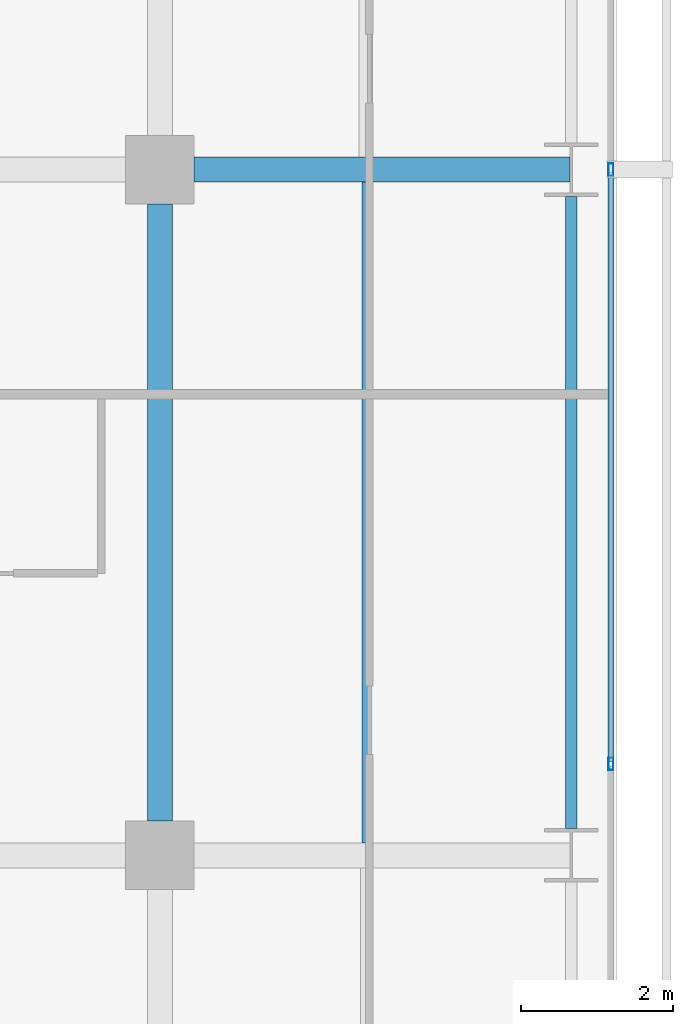
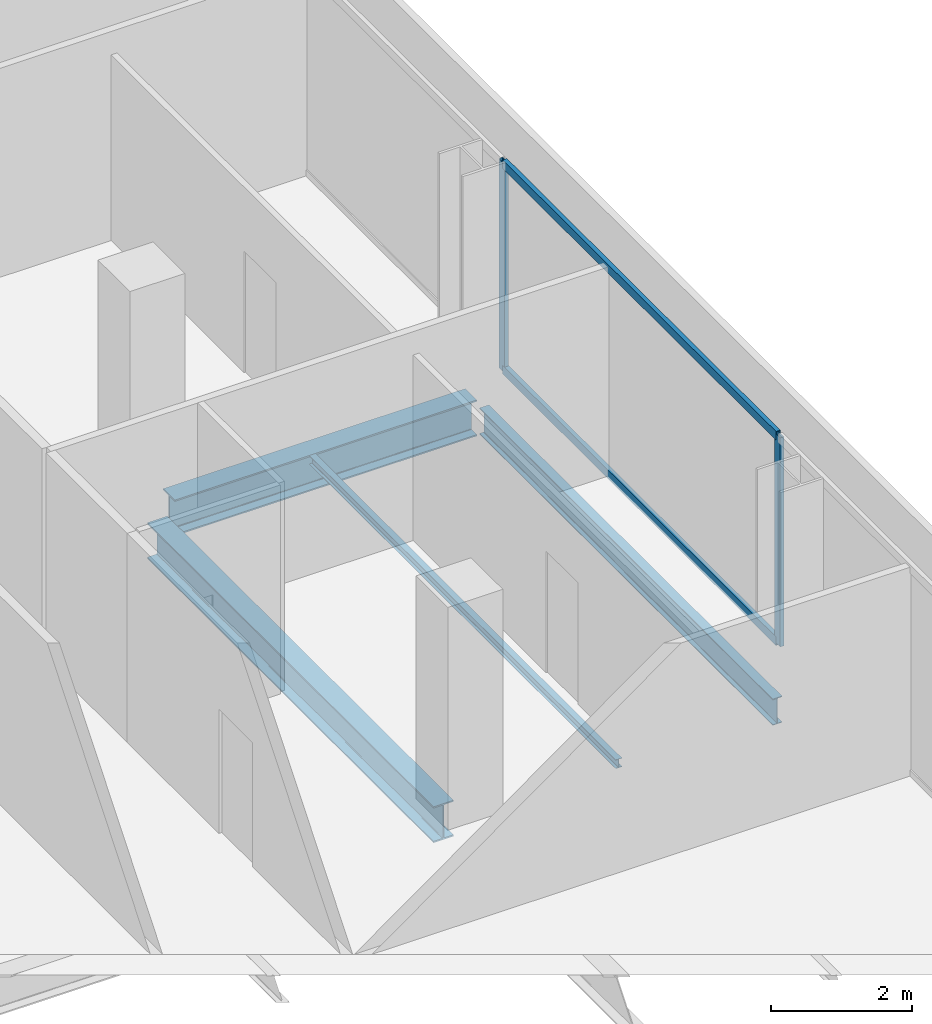
# One storey, part 19 of 40: 4 beams, 4 members, 1 element without a shape of its own.
"""IFC4 building model written with IfcOpenShell, lengths in metres."""

import ifcopenshell
import ifcopenshell.guid

model = None  # the IFC model being written
_history = None  # IfcOwnerHistory: only IFC2X3 demands one
_inside = {}  # id of a spatial element -> (the spatial element, [elements in it])
_under = {}  # id of a project, library or spatial element -> (it, [spatial elements below it])
_declared = {}  # id of a project -> (the project, [libraries it declares])
_typed = {}  # id of a type object -> (the type object, [elements of that type])
_made_of = {}  # id of a material, layer set ... -> (it, [elements and type objects made of it])


def new_model(schema):
    """Start an empty IFC model of exactly this schema.

    Asked for "IFC4X3", IfcOpenShell would pick the latest addendum, in which some entities
    have other attributes; the version numbers below select the first issue.
    IFC2X3 requires an IfcOwnerHistory on every rooted entity: one is made here for all.
    """
    global model, _history
    if schema == "IFC4X3":
        model = ifcopenshell.file(schema_version=(4, 3, 0, 0))
    else:
        model = ifcopenshell.file(schema=schema)
    _inside.clear()
    _under.clear()
    _declared.clear()
    _typed.clear()
    _made_of.clear()
    _history = None
    if model.schema == "IFC2X3":
        org = make("IfcOrganization", Name="unknown")
        user = make(
            "IfcPersonAndOrganization",
            ThePerson=make("IfcPerson", FamilyName="unknown"),
            TheOrganization=org,
        )
        app = make(
            "IfcApplication",
            ApplicationDeveloper=org,
            Version="unknown",
            ApplicationFullName="unknown",
            ApplicationIdentifier="unknown",
        )
        _history = make(
            "IfcOwnerHistory",
            OwningUser=user,
            OwningApplication=app,
            ChangeAction="ADDED",
            CreationDate=0,
        )
    return model


def make(cls, **values):
    """One entity of the class cls with the attributes given. An attribute that is None is left unset."""
    return model.create_entity(
        cls, **{name: value for name, value in values.items() if value is not None}
    )


def rooted(cls, **values):
    """An entity with a GlobalId (a new one), such as an element, a storey or a relation."""
    return make(cls, GlobalId=ifcopenshell.guid.new(), OwnerHistory=_history, **values)


def si_unit(unit_type, name, prefix=None):
    """IfcSIUnit, for example si_unit("LENGTHUNIT", "METRE", prefix="MILLI")."""
    return make("IfcSIUnit", UnitType=unit_type, Prefix=prefix, Name=name)


def assignment(units):
    """IfcUnitAssignment: the units of a project."""
    return None if units is None else make("IfcUnitAssignment", Units=units)


def point(xyz):
    """IfcCartesianPoint."""
    return None if xyz is None else make("IfcCartesianPoint", Coordinates=xyz)


def direction(xyz):
    """IfcDirection."""
    return None if xyz is None else make("IfcDirection", DirectionRatios=xyz)


def frame(location, z_axis=None, x_axis=None):
    """IfcAxis2Placement3D, a coordinate frame: its origin and axes. An axis left out is left unset."""
    return make(
        "IfcAxis2Placement3D",
        Location=point(location),
        Axis=direction(z_axis),
        RefDirection=direction(x_axis),
    )


def frame_2d(location, x_axis=None):
    """IfcAxis2Placement2D, a coordinate frame in the plane: its origin and x axis."""
    return make(
        "IfcAxis2Placement2D", Location=point(location), RefDirection=direction(x_axis)
    )


def origin():
    """The frame at (0, 0, 0) with its axes left unset."""
    return frame((0.0, 0.0, 0.0))


def origin_2d():
    """The frame at (0, 0) in the plane with its x axis left unset."""
    return frame_2d((0.0, 0.0))


def place(relative_to, where):
    """IfcLocalPlacement: puts the frame where relative to a parent placement (None: the world)."""
    return make(
        "IfcLocalPlacement", PlacementRelTo=relative_to, RelativePlacement=where
    )


def context(
    kind, dimensions, precision=None, world=None, true_north=None, identifier=None
):
    """IfcGeometricRepresentationContext, for example the 3D "Model" context."""
    return make(
        "IfcGeometricRepresentationContext",
        ContextIdentifier=identifier,
        ContextType=kind,
        CoordinateSpaceDimension=dimensions,
        Precision=precision,
        WorldCoordinateSystem=world,
        TrueNorth=true_north,
    )


def subcontext(parent, identifier, kind, view, scale=None):
    """IfcGeometricRepresentationSubContext, for example "Body" below "Model"."""
    return make(
        "IfcGeometricRepresentationSubContext",
        ContextIdentifier=identifier,
        ContextType=kind,
        ParentContext=parent,
        TargetScale=scale,
        TargetView=view,
    )


def project(units=None, contexts=None):
    """IfcProject with its units and contexts."""
    return rooted(
        "IfcProject",
        Name="project",
        RepresentationContexts=contexts,
        UnitsInContext=assignment(units),
    )


def spatial(cls, under=None, at=None, **own):
    """A site, building, storey or space (cls), placed at a placement, below another one or the project."""
    s = rooted(cls, ObjectPlacement=at, **own)
    if under is not None:
        _under.setdefault(under.id(), (under, []))[1].append(s)
    return s


def profile(cls, at=None, kind="AREA", **sizes):
    """A parametric profile (cls). Its sizes go by their IFC names, for example OverallWidth=200.0."""
    return make(cls, ProfileType=kind, Position=at, **sizes)


def hollow_rectangle(**sizes):
    """IfcRectangleHollowProfileDef."""
    return profile("IfcRectangleHollowProfileDef", **sizes)


def i_section(**sizes):
    """IfcIShapeProfileDef."""
    return profile("IfcIShapeProfileDef", **sizes)


def extrude(swept, where, along, depth):
    """IfcExtrudedAreaSolid: the profile swept, set in the frame where, extruded along a direction by depth."""
    return make(
        "IfcExtrudedAreaSolid",
        SweptArea=swept,
        Position=where,
        ExtrudedDirection=direction(along),
        Depth=depth,
    )


def shape(context_of_items, identifier, shape_type, items):
    """IfcShapeRepresentation: the items that make up one representation, for example the "Body"."""
    return make(
        "IfcShapeRepresentation",
        ContextOfItems=context_of_items,
        RepresentationIdentifier=identifier,
        RepresentationType=shape_type,
        Items=items,
    )


def material(Name=None, Category=None):
    """IfcMaterial."""
    return make("IfcMaterial", Name=Name, Category=Category)


def layer(
    of_material, thickness, ventilated=None, Name=None, Category=None, Priority=None
):
    """IfcMaterialLayer: one layer of a wall or slab, of a material (None: an air gap)."""
    return make(
        "IfcMaterialLayer",
        Material=of_material,
        LayerThickness=thickness,
        IsVentilated=ventilated,
        Name=Name,
        Category=Category,
        Priority=Priority,
    )


def layer_set(layers, Name=None):
    """IfcMaterialLayerSet."""
    return make("IfcMaterialLayerSet", MaterialLayers=layers, LayerSetName=Name)


def material_profile(
    of_material, cross_section, Name=None, Category=None, Priority=None
):
    """IfcMaterialProfile: a cross section and its material."""
    return make(
        "IfcMaterialProfile",
        Name=Name,
        Material=of_material,
        Profile=cross_section,
        Priority=Priority,
        Category=Category,
    )


def profile_set(profiles, Name=None, composite=None):
    """IfcMaterialProfileSet."""
    return make(
        "IfcMaterialProfileSet",
        Name=Name,
        MaterialProfiles=profiles,
        CompositeProfile=composite,
    )


def made_of(thing, what):
    """Note that an element or type object is made of a material, layer set ...; save() writes the relation."""
    if what is not None:
        _made_of.setdefault(what.id(), (what, []))[1].append(thing)
    return thing


def type_object(cls, material=None, **own):
    """A type object (cls), such as IfcWallType, which elements share."""
    return made_of(rooted(cls, **own), material)


def element(
    cls,
    number,
    at=None,
    inside=None,
    cuts=None,
    type_object=None,
    material=None,
    context=None,
    identifier="Body",
    shape_type=None,
    held_by="IfcProductDefinitionShape",
    body=None,
    shapes=None,
    **own,
):
    """One element of the class cls, such as IfcWall. Its Tag is "e" and its number.

    at: its placement. inside: the storey or other place that contains it. cuts: it is an
    opening in that element (IfcRelVoidsElement). A single representation is given by context,
    identifier, shape_type and body (its items); several are given by shapes. held_by: the class
    of the entity that holds the representations. save() writes the other relations.
    """
    e = rooted(cls, Tag="e%d" % number, ObjectPlacement=at, **own)
    if body is not None:
        shapes = [shape(context, identifier, shape_type, body)]
    if shapes is not None:
        e.Representation = make(held_by, Representations=shapes)
    if inside is not None:
        _inside.setdefault(inside.id(), (inside, []))[1].append(e)
    if cuts is not None:
        rooted(
            "IfcRelVoidsElement", RelatingBuildingElement=cuts, RelatedOpeningElement=e
        )
    if type_object is not None:
        _typed.setdefault(type_object.id(), (type_object, []))[1].append(e)
    return made_of(e, material)


def aggregate(whole, parts):
    """IfcRelAggregates: a whole, such as a stair, and the parts it consists of."""
    return rooted("IfcRelAggregates", RelatingObject=whole, RelatedObjects=parts)


def save(model, path):
    """Write the relations noted so far, then the file.

    IfcRelAggregates (storeys below a building ...), IfcRelContainedInSpatialStructure (elements
    in a storey), IfcRelDefinesByType, IfcRelAssociatesMaterial and IfcRelDeclares: one each for
    every whole, place, type object, material and project.
    """
    for whole, parts in _under.values():
        aggregate(whole, parts)
    for where, things in _inside.values():
        rooted(
            "IfcRelContainedInSpatialStructure",
            RelatedElements=things,
            RelatingStructure=where,
        )
    for kind, things in _typed.values():
        rooted("IfcRelDefinesByType", RelatedObjects=things, RelatingType=kind)
    for what, things in _made_of.values():
        rooted("IfcRelAssociatesMaterial", RelatedObjects=things, RelatingMaterial=what)
    for by, libraries in _declared.values():
        rooted("IfcRelDeclares", RelatingContext=by, RelatedDefinitions=libraries)
    model.write(path)


model = new_model("IFC4")

# Units and contexts
model_context = context("Model", 3, precision=1e-05, world=origin(), true_north=direction((0.0, 1.0)))
body_context = subcontext(model_context, "Body", "Model", "MODEL_VIEW")
ifc_project = project(units=[si_unit("LENGTHUNIT", "METRE"), si_unit("AREAUNIT", "SQUARE_METRE"), si_unit("VOLUMEUNIT", "CUBIC_METRE"), si_unit("PLANEANGLEUNIT", "RADIAN"), si_unit("MASSUNIT", "GRAM", prefix="KILO")], contexts=[model_context])

# Site, building, storey
site_placement = place(None, origin())
site = spatial("IfcSite", under=ifc_project, at=site_placement, CompositionType="ELEMENT")
building_placement = place(site_placement, origin())
building = spatial("IfcBuilding", under=site, at=building_placement, Name="Maruvema Waterfront Hotel and Observation Tower", CompositionType="ELEMENT")
storey_placement = place(building_placement, frame((0.0, 0.0, 73.14990234375)))
storey = spatial("IfcBuildingStorey", under=building, at=storey_placement, Name="L17", CompositionType="ELEMENT", Elevation=73.14990234375)

# Curtain wall, members
ifc_material_1 = material(Name="Anodised bronze aluminium and solar-control low-E IGU", Category="aluminium")
ifc_layer = layer(ifc_material_1, 0.159912109375, Name="Zone 1 Bronze Inner Thermal Curtain Wall System CW-02")
ifc_layer_set = layer_set([ifc_layer], Name="Anodised bronze aluminium and solar-control low-E IGU")
curtain_wall_type = type_object("IfcCurtainWallType", Name="Zone 1 Bronze Inner Thermal Curtain Wall System CW-02", PredefinedType="USERDEFINED", material=ifc_layer_set)
curtain_wall_placement = place(storey_placement, origin())
curtain_wall = element("IfcCurtainWall", 1, at=curtain_wall_placement, inside=storey, type_object=curtain_wall_type, Name="L17 Curtain Wall CW-L17-E", ObjectType="UNITISED CURTAIN WALL", PredefinedType="USERDEFINED")
ifc_material_2 = material(Name="Anodised architectural bronze aluminium", Category="aluminium")
ifc_material_profile_1 = material_profile(ifc_material_2, hollow_rectangle(XDim=0.070068359375, YDim=0.14990234375, WallThickness=0.00390625, at=origin_2d()), Name="ALU-T70x150")
ifc_profile_set_1 = profile_set([ifc_material_profile_1], Name="Anodised architectural bronze aluminium")
member_type_1 = type_object("IfcMemberType", Name="Curtain Wall Horizontal Transom ALU-T70x150", PredefinedType="USERDEFINED", material=ifc_profile_set_1)
member_1_placement = place(storey_placement, frame((64.719970703125, 19.22998046875, 0.030029296875), z_axis=(0.0, 1.0, 0.0), x_axis=(-1.0, 0.0, 0.0)))
member_1 = element("IfcMember", 2, at=member_1_placement, type_object=member_type_1, Name="CW-02 transom 3.1", ObjectType="TRANSOM", PredefinedType="USERDEFINED", context=body_context, shape_type="SweptSolid", body=[
    extrude(hollow_rectangle(XDim=0.070068359375, YDim=0.14990234375, WallThickness=0.00390625, at=origin_2d()), origin(), (0.0, 0.0, 1.0), 7.739990234375),
])
member_2_placement = place(storey_placement, frame((64.719970703125, 19.22998046875, 3.580078125), z_axis=(0.0, 1.0, 0.0), x_axis=(-1.0, 0.0, 0.0)))
member_2 = element("IfcMember", 3, at=member_2_placement, type_object=member_type_1, Name="CW-02 transom 3.2", ObjectType="TRANSOM", PredefinedType="USERDEFINED", context=body_context, shape_type="SweptSolid", body=[
    extrude(hollow_rectangle(XDim=0.070068359375, YDim=0.14990234375, WallThickness=0.00390625, at=origin_2d()), origin(), (0.0, 0.0, 1.0), 7.739990234375),
])
ifc_material_3 = material(Name="Anodised architectural bronze aluminium", Category="aluminium")
ifc_material_profile_2 = material_profile(ifc_material_3, hollow_rectangle(XDim=0.06494140625, YDim=0.1650390625, WallThickness=0.00390625, at=origin_2d()), Name="ALU-M65x165")
ifc_profile_set_2 = profile_set([ifc_material_profile_2], Name="Anodised architectural bronze aluminium")
member_type_2 = type_object("IfcMemberType", Name="Curtain Wall Primary Mullion ALU-M65x165", PredefinedType="MULLION", material=ifc_profile_set_2)
member_3_placement = place(storey_placement, frame((64.719970703125, 19.199951171875, 0.0), z_axis=(0.0, 0.0, 1.0), x_axis=(-1.0, 0.0, 0.0)))
member_3 = element("IfcMember", 4, at=member_3_placement, type_object=member_type_2, Name="CW-02 mullion 3", PredefinedType="MULLION", context=body_context, shape_type="SweptSolid", body=[
    extrude(hollow_rectangle(XDim=0.06494140625, YDim=0.1650390625, WallThickness=0.00390625, at=origin_2d()), origin(), (0.0, 0.0, 1.0), 3.610107421875),
])
member_4_placement = place(storey_placement, frame((64.719970703125, 27.0, 0.0), z_axis=(0.0, 0.0, 1.0), x_axis=(-1.0, 0.0, 0.0)))
member_4 = element("IfcMember", 5, at=member_4_placement, type_object=member_type_2, Name="CW-02 mullion 4", PredefinedType="MULLION", context=body_context, shape_type="SweptSolid", body=[
    extrude(hollow_rectangle(XDim=0.06494140625, YDim=0.1650390625, WallThickness=0.00390625, at=origin_2d()), origin(), (0.0, 0.0, 1.0), 3.610107421875),
])
aggregate(curtain_wall, [member_3, member_4, member_1, member_2])

# Beams
ifc_material_4 = material(Name="Steel ASTM A572 Grade 50", Category="steel")
ifc_material_profile_3 = material_profile(ifc_material_4, i_section(OverallWidth=0.153076171875, OverallDepth=0.455078125, WebThickness=0.008056640625, FlangeThickness=0.01318359375, FilletRadius=0.014892578125, at=origin_2d()), Name="W460x60.0")
ifc_profile_set_3 = profile_set([ifc_material_profile_3], Name="Steel ASTM A572 Grade 50")
beam_type_1 = type_object("IfcBeamType", Name="Perimeter Spandrel Beam W460x60.0", PredefinedType="SPANDREL", material=ifc_profile_set_3)
beam_1_placement = place(storey_placement, frame((64.199951171875, 18.35009765625, -0.46728515625), z_axis=(0.0, 1.0, 0.0), x_axis=(-1.0, 0.0, 0.0)))
element("IfcBeam", 6, at=beam_1_placement, inside=storey, type_object=beam_type_1, Name="L17 Floor Girder NS-34", PredefinedType="SPANDREL", context=body_context, shape_type="SweptSolid", body=[
    extrude(i_section(OverallWidth=0.153076171875, OverallDepth=0.455078125, WebThickness=0.008056640625, FlangeThickness=0.01318359375, FilletRadius=0.014892578125, at=origin_2d()), origin(), (0.0, 0.0, 1.0), 8.2998046875),
])
ifc_material_5 = material(Name="Steel ASTM A572 Grade 50", Category="steel")
ifc_material_profile_4 = material_profile(ifc_material_5, i_section(OverallWidth=0.326904296875, OverallDepth=0.6220703125, WebThickness=0.015380859375, FlangeThickness=0.0244140625, FilletRadius=0.01806640625, at=origin_2d()), Name="W610x195.0")
ifc_profile_set_4 = profile_set([ifc_material_profile_4], Name="Steel ASTM A572 Grade 50")
beam_type_2 = type_object("IfcBeamType", Name="Primary Floor Girder W610x195.0", PredefinedType="BEAM", material=ifc_profile_set_4)
beam_2_placement = place(storey_placement, frame((59.25, 27.0, -0.55078125), z_axis=(1.0, 0.0, 0.0), x_axis=(0.0, 1.0, 0.0)))
element("IfcBeam", 7, at=beam_2_placement, inside=storey, type_object=beam_type_2, Name="L17 Floor Girder EW-24", PredefinedType="BEAM", context=body_context, shape_type="SweptSolid", body=[
    extrude(i_section(OverallWidth=0.326904296875, OverallDepth=0.6220703125, WebThickness=0.015380859375, FlangeThickness=0.0244140625, FilletRadius=0.01806640625, at=origin_2d()), origin(), (0.0, 0.0, 1.0), 4.93603515625),
])
beam_3_placement = place(storey_placement, frame((58.800048828125, 18.449951171875, -0.55078125), z_axis=(0.0, 1.0, 0.0), x_axis=(-1.0, 0.0, 0.0)))
element("IfcBeam", 8, at=beam_3_placement, inside=storey, type_object=beam_type_2, Name="L17 Floor Girder NS-29", PredefinedType="BEAM", context=body_context, shape_type="SweptSolid", body=[
    extrude(i_section(OverallWidth=0.326904296875, OverallDepth=0.6220703125, WebThickness=0.015380859375, FlangeThickness=0.0244140625, FilletRadius=0.01806640625, at=origin_2d()), origin(), (0.0, 0.0, 1.0), 8.10009765625),
])
ifc_material_6 = material(Name="Steel ASTM A572 Grade 50", Category="steel")
ifc_material_profile_5 = material_profile(ifc_material_6, i_section(OverallWidth=0.10009765625, OverallDepth=0.153076171875, WebThickness=0.005859375, FlangeThickness=0.007080078125, FilletRadius=0.008056640625, at=origin_2d()), Name="W150x18.0")
ifc_profile_set_5 = profile_set([ifc_material_profile_5], Name="Steel ASTM A572 Grade 50")
beam_type_3 = type_object("IfcBeamType", Name="Secondary Floor Joist W150x18.0", PredefinedType="JOIST", material=ifc_profile_set_5)
beam_4_placement = place(storey_placement, frame((61.5, 18.16357421875, -0.31640625), z_axis=(0.0, 1.0, 0.0), x_axis=(-1.0, 0.0, 0.0)))
element("IfcBeam", 9, at=beam_4_placement, inside=storey, type_object=beam_type_3, Name="L17 Secondary Floor Joist JS-22", PredefinedType="JOIST", context=body_context, shape_type="SweptSolid", body=[
    extrude(i_section(OverallWidth=0.10009765625, OverallDepth=0.153076171875, WebThickness=0.005859375, FlangeThickness=0.007080078125, FilletRadius=0.008056640625, at=origin_2d()), origin(), (0.0, 0.0, 1.0), 8.6728515625),
])

save(model, "model.ifc")
